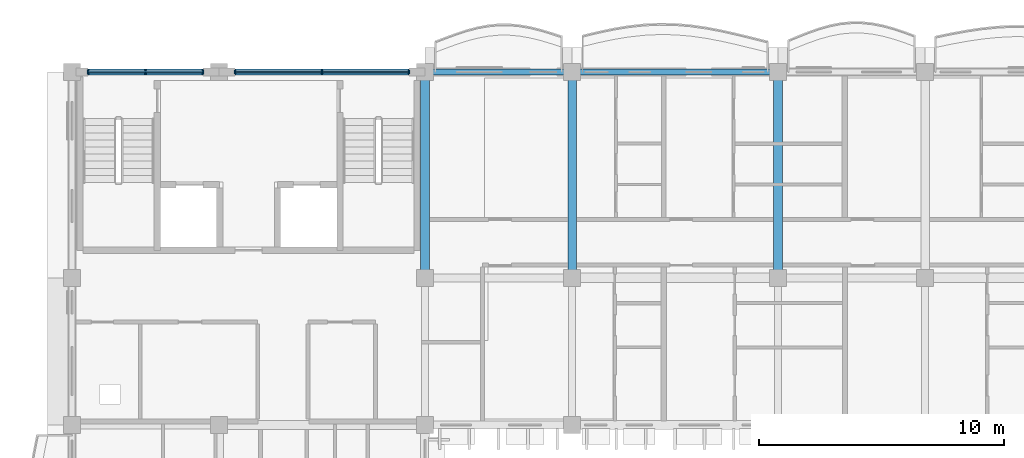
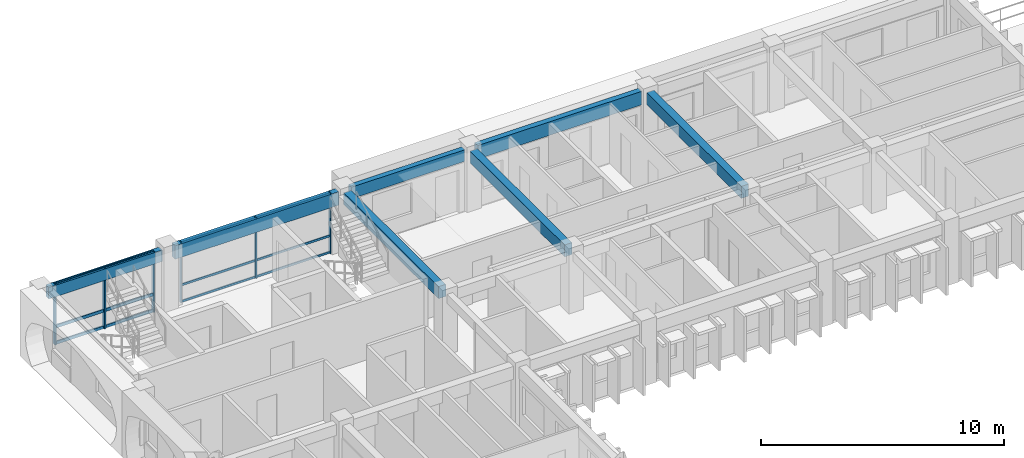
# One storey, part 5 of 66: 12 members, 7 beams, 2 elements without a shape of their own.
"""IFC4 building model written with IfcOpenShell, lengths in metres."""

from ifc_helpers import new_model, si_unit, direction, frame, origin, origin_2d, place, context, subcontext, project, spatial, rectangle, extrude, material, material_profile, profile_set, type_object, element, aggregate, save


model = new_model("IFC4")

# Units and contexts
model_context = context("Model", 3, precision=1e-05, world=origin(), true_north=direction((0.0, 1.0)))
body_context = subcontext(model_context, "Body", "Model", "MODEL_VIEW")
ifc_project = project(units=[si_unit("LENGTHUNIT", "METRE"), si_unit("AREAUNIT", "SQUARE_METRE"), si_unit("VOLUMEUNIT", "CUBIC_METRE"), si_unit("PLANEANGLEUNIT", "RADIAN"), si_unit("MASSUNIT", "GRAM", prefix="KILO"), si_unit("THERMODYNAMICTEMPERATUREUNIT", "KELVIN")], contexts=[model_context])

# Site, building, storey
site_placement = place(None, origin())
site = spatial("IfcSite", under=ifc_project, at=site_placement, CompositionType="ELEMENT")
building_placement = place(site_placement, origin())
building = spatial("IfcBuilding", under=site, at=building_placement, Name="Thalorik Housing Commons", CompositionType="ELEMENT")
storey_placement = place(building_placement, frame((0.0, 0.0, 21.300048828125)))
storey = spatial("IfcBuildingStorey", under=building, at=storey_placement, Name="L06", CompositionType="ELEMENT", Elevation=21.300048828125)

# Curtain wall, members
ifc_material_1 = material(Name="Anodised aluminium and solar-control low-E glass", Category="aluminium")
curtain_wall_type = type_object("IfcCurtainWallType", Name="ARC-CW-CORE", PredefinedType="USERDEFINED", material=ifc_material_1)
curtain_wall_1_placement = place(storey_placement, origin())
curtain_wall_1 = element("IfcCurtainWall", 1, at=curtain_wall_1_placement, inside=storey, type_object=curtain_wall_type, Name="L06 Curtain Wall CW-CORE-L06-A-027", ObjectType="CURTAIN WALL", PredefinedType="USERDEFINED")
ifc_material_2 = material(Name="Anodised aluminium 6063-T6", Category="aluminium")
ifc_material_profile_1 = material_profile(ifc_material_2, rectangle(XDim=0.054931640625, YDim=0.139892578125, at=origin_2d()), Name="ALU MUL 55x140", Category="aluminium")
ifc_profile_set_1 = profile_set([ifc_material_profile_1], Name="Anodised aluminium 6063-T6")
member_type_1 = type_object("IfcMemberType", Name="ARC-CW-MUL-55x140", PredefinedType="MULLION", material=ifc_profile_set_1)
member_1_placement = place(storey_placement, frame((22.14990234375, 123.60009765625, 0.0), z_axis=(0.0, 0.0, 1.0), x_axis=(-1.0, 0.0, 0.0)))
member_1 = element("IfcMember", 2, at=member_1_placement, type_object=member_type_1, Name="CW-CORE-L06-A-027 Mullion 1", PredefinedType="MULLION", context=body_context, shape_type="SweptSolid", body=[
    extrude(rectangle(XDim=0.054931640625, YDim=0.139892578125, at=origin_2d()), origin(), (0.0, 0.0, 1.0), 3.0400390625),
])
member_2_placement = place(storey_placement, frame((18.60009765625, 123.60009765625, 0.0), z_axis=(0.0, 0.0, 1.0), x_axis=(-1.0, 0.0, 0.0)))
member_2 = element("IfcMember", 3, at=member_2_placement, type_object=member_type_1, Name="CW-CORE-L06-A-027 Mullion 2", PredefinedType="MULLION", context=body_context, shape_type="SweptSolid", body=[
    extrude(rectangle(XDim=0.054931640625, YDim=0.139892578125, at=origin_2d()), origin(), (0.0, 0.0, 1.0), 3.0400390625),
])
member_3_placement = place(storey_placement, frame((15.050048828125, 123.60009765625, 0.0), z_axis=(0.0, 0.0, 1.0), x_axis=(-1.0, 0.0, 0.0)))
member_3 = element("IfcMember", 4, at=member_3_placement, type_object=member_type_1, Name="CW-CORE-L06-A-027 Mullion 3", PredefinedType="MULLION", context=body_context, shape_type="SweptSolid", body=[
    extrude(rectangle(XDim=0.054931640625, YDim=0.139892578125, at=origin_2d()), origin(), (0.0, 0.0, 1.0), 3.0400390625),
])

curtain_wall_2_placement = place(storey_placement, origin())
curtain_wall_2 = element("IfcCurtainWall", 5, at=curtain_wall_2_placement, inside=storey, type_object=curtain_wall_type, Name="L06 Curtain Wall CW-CORE-L06-A-028", ObjectType="CURTAIN WALL", PredefinedType="USERDEFINED")
ifc_material_profile_2 = material_profile(ifc_material_2, rectangle(XDim=0.06494140625, YDim=0.179931640625, at=origin_2d()), Name="ALU MUL 65x180", Category="aluminium")
ifc_profile_set_2 = profile_set([ifc_material_profile_2], Name="Anodised aluminium 6063-T6")
member_type_2 = type_object("IfcMemberType", Name="ARC-CW-MUL-65x180", PredefinedType="MULLION", material=ifc_profile_set_2)
member_4_placement = place(storey_placement, frame((13.75, 123.60009765625, 0.0), z_axis=(0.0, 0.0, 1.0), x_axis=(-1.0, 0.0, 0.0)))
member_4 = element("IfcMember", 6, at=member_4_placement, type_object=member_type_2, Name="CW-CORE-L06-A-028 Mullion 1", PredefinedType="MULLION", context=body_context, shape_type="SweptSolid", body=[
    extrude(rectangle(XDim=0.06494140625, YDim=0.179931640625, at=origin_2d()), origin(), (0.0, 0.0, 1.0), 3.0400390625),
])
member_5_placement = place(storey_placement, frame((11.39990234375, 123.60009765625, 0.0), z_axis=(0.0, 0.0, 1.0), x_axis=(-1.0, 0.0, 0.0)))
member_5 = element("IfcMember", 7, at=member_5_placement, type_object=member_type_2, Name="CW-CORE-L06-A-028 Mullion 2", PredefinedType="MULLION", context=body_context, shape_type="SweptSolid", body=[
    extrude(rectangle(XDim=0.06494140625, YDim=0.179931640625, at=origin_2d()), origin(), (0.0, 0.0, 1.0), 3.0400390625),
])
member_6_placement = place(storey_placement, frame((9.050048828125, 123.60009765625, 0.0), z_axis=(0.0, 0.0, 1.0), x_axis=(-1.0, 0.0, 0.0)))
member_6 = element("IfcMember", 8, at=member_6_placement, type_object=member_type_2, Name="CW-CORE-L06-A-028 Mullion 3", PredefinedType="MULLION", context=body_context, shape_type="SweptSolid", body=[
    extrude(rectangle(XDim=0.06494140625, YDim=0.179931640625, at=origin_2d()), origin(), (0.0, 0.0, 1.0), 3.0400390625),
])

# Member
ifc_material_profile_3 = material_profile(ifc_material_2, rectangle(XDim=0.054931640625, YDim=0.10498046875, at=origin_2d()), Name="ALU TRN 55x105", Category="aluminium")
ifc_profile_set_3 = profile_set([ifc_material_profile_3], Name="Anodised aluminium 6063-T6")
member_type_3 = type_object("IfcMemberType", Name="ARC-CW-TRN-55x105", PredefinedType="USERDEFINED", material=ifc_profile_set_3)
member_7_placement = place(storey_placement, frame((22.14990234375, 123.60009765625, 0.054931640625), z_axis=(-1.0, 0.0, 0.0), x_axis=(0.0, -1.0, 0.0)))
member_7 = element("IfcMember", 9, at=member_7_placement, type_object=member_type_3, Name="CW-CORE-L06-A-027 Transom 1", ObjectType="TRANSOM", PredefinedType="USERDEFINED", context=body_context, shape_type="SweptSolid", body=[
    extrude(rectangle(XDim=0.054931640625, YDim=0.10498046875, at=origin_2d()), origin(), (0.0, 0.0, 1.0), 7.099853515625),
])

member_8_placement = place(storey_placement, frame((22.14990234375, 123.60009765625, 0.8798828125), z_axis=(-1.0, 0.0, 0.0), x_axis=(0.0, -1.0, 0.0)))
member_8 = element("IfcMember", 10, at=member_8_placement, type_object=member_type_3, Name="CW-CORE-L06-A-027 Transom 2", ObjectType="TRANSOM", PredefinedType="USERDEFINED", context=body_context, shape_type="SweptSolid", body=[
    extrude(rectangle(XDim=0.054931640625, YDim=0.10498046875, at=origin_2d()), origin(), (0.0, 0.0, 1.0), 7.099853515625),
])

member_9_placement = place(storey_placement, frame((22.14990234375, 123.60009765625, 2.98486328125), z_axis=(-1.0, 0.0, 0.0), x_axis=(0.0, -1.0, 0.0)))
member_9 = element("IfcMember", 11, at=member_9_placement, type_object=member_type_3, Name="CW-CORE-L06-A-027 Transom 3", ObjectType="TRANSOM", PredefinedType="USERDEFINED", context=body_context, shape_type="SweptSolid", body=[
    extrude(rectangle(XDim=0.054931640625, YDim=0.10498046875, at=origin_2d()), origin(), (0.0, 0.0, 1.0), 7.099853515625),
])

aggregate(curtain_wall_1, [member_1, member_2, member_3, member_7, member_8, member_9])

ifc_material_profile_4 = material_profile(ifc_material_2, rectangle(XDim=0.06494140625, YDim=0.14990234375, at=origin_2d()), Name="ALU TRN 65x150", Category="aluminium")
ifc_profile_set_4 = profile_set([ifc_material_profile_4], Name="Anodised aluminium 6063-T6")
member_type_4 = type_object("IfcMemberType", Name="ARC-CW-TRN-65x150", PredefinedType="USERDEFINED", material=ifc_profile_set_4)
member_10_placement = place(storey_placement, frame((13.75, 123.60009765625, 0.054931640625), z_axis=(-1.0, 0.0, 0.0), x_axis=(0.0, -1.0, 0.0)))
member_10 = element("IfcMember", 12, at=member_10_placement, type_object=member_type_4, Name="CW-CORE-L06-A-028 Transom 1", ObjectType="TRANSOM", PredefinedType="USERDEFINED", context=body_context, shape_type="SweptSolid", body=[
    extrude(rectangle(XDim=0.06494140625, YDim=0.14990234375, at=origin_2d()), origin(), (0.0, 0.0, 1.0), 4.699951171875),
])

member_11_placement = place(storey_placement, frame((13.75, 123.60009765625, 0.8798828125), z_axis=(-1.0, 0.0, 0.0), x_axis=(0.0, -1.0, 0.0)))
member_11 = element("IfcMember", 13, at=member_11_placement, type_object=member_type_4, Name="CW-CORE-L06-A-028 Transom 2", ObjectType="TRANSOM", PredefinedType="USERDEFINED", context=body_context, shape_type="SweptSolid", body=[
    extrude(rectangle(XDim=0.06494140625, YDim=0.14990234375, at=origin_2d()), origin(), (0.0, 0.0, 1.0), 4.699951171875),
])

member_12_placement = place(storey_placement, frame((13.75, 123.60009765625, 2.98486328125), z_axis=(-1.0, 0.0, 0.0), x_axis=(0.0, -1.0, 0.0)))
member_12 = element("IfcMember", 14, at=member_12_placement, type_object=member_type_4, Name="CW-CORE-L06-A-028 Transom 3", ObjectType="TRANSOM", PredefinedType="USERDEFINED", context=body_context, shape_type="SweptSolid", body=[
    extrude(rectangle(XDim=0.06494140625, YDim=0.14990234375, at=origin_2d()), origin(), (0.0, 0.0, 1.0), 4.699951171875),
])

aggregate(curtain_wall_2, [member_4, member_5, member_6, member_10, member_11, member_12])

# Beams
ifc_material_3 = material(Name="Precast concrete C40/50", Category="concrete")
ifc_material_profile_5 = material_profile(ifc_material_3, rectangle(XDim=0.35009765625, YDim=0.60009765625, at=origin_2d()), Name="PC 350x600", Category="concrete")
ifc_profile_set_5 = profile_set([ifc_material_profile_5], Name="Precast concrete C40/50")
beam_type_1 = type_object("IfcBeamType", Name="STR-BM-PC350x600", PredefinedType="BEAM", material=ifc_profile_set_5)
for number, where, z_axis, x_axis, name in (
    (15, (22.800048828125, 115.5, 2.739990234375), (0.0, 1.0, 0.0), (-1.0, 0.0, 0.0), "L06 Beam B-600"),
    (16, (28.800048828125, 115.5, 2.739990234375), (0.0, 1.0, 0.0), (-1.0, 0.0, 0.0), "L06 Beam B-600"),
    (17, (37.199951171875, 115.5, 2.739990234375), (0.0, 1.0, 0.0), (-1.0, 0.0, 0.0), "L06 Beam B-600"),
):
    element("IfcBeam", number, at=place(storey_placement, frame(where, z_axis=z_axis, x_axis=x_axis)), inside=storey, type_object=beam_type_1, Name=name, PredefinedType="BEAM", context=body_context, shape_type="SweptSolid", body=[
        extrude(rectangle(XDim=0.35009765625, YDim=0.60009765625, at=origin_2d()), origin(), (0.0, 0.0, 1.0), 7.800048828125),
    ])
ifc_material_profile_6 = material_profile(ifc_material_3, rectangle(XDim=0.239990234375, YDim=0.580078125, at=origin_2d()), Name="PC SP 240x580", Category="concrete")
ifc_profile_set_6 = profile_set([ifc_material_profile_6], Name="Precast concrete C40/50")
beam_type_2 = type_object("IfcBeamType", Name="STR-SP-PC240x580", PredefinedType="SPANDREL", material=ifc_profile_set_6)
beam_1_placement = place(storey_placement, frame((8.699951171875, 123.60009765625, 2.75), z_axis=(1.0, 0.0, 0.0), x_axis=(0.0, 1.0, 0.0)))
element("IfcBeam", 18, at=beam_1_placement, inside=storey, type_object=beam_type_2, Name="L06 Beam B-550", PredefinedType="SPANDREL", context=body_context, shape_type="SweptSolid", body=[
    extrude(rectangle(XDim=0.239990234375, YDim=0.580078125, at=origin_2d()), origin(), (0.0, 0.0, 1.0), 5.400146484375),
])
beam_2_placement = place(storey_placement, frame((23.10009765625, 123.60009765625, 2.75), z_axis=(1.0, 0.0, 0.0), x_axis=(0.0, 1.0, 0.0)))
element("IfcBeam", 19, at=beam_2_placement, inside=storey, type_object=beam_type_2, Name="L06 Beam B-550", PredefinedType="SPANDREL", context=body_context, shape_type="SweptSolid", body=[
    extrude(rectangle(XDim=0.239990234375, YDim=0.580078125, at=origin_2d()), origin(), (0.0, 0.0, 1.0), 5.39990234375),
])
ifc_material_profile_7 = material_profile(ifc_material_3, rectangle(XDim=0.260009765625, YDim=0.679931640625, at=origin_2d()), Name="PC SP 260x680", Category="concrete")
ifc_profile_set_7 = profile_set([ifc_material_profile_7], Name="Precast concrete C40/50")
beam_type_3 = type_object("IfcBeamType", Name="STR-SP-PC260x680", PredefinedType="SPANDREL", material=ifc_profile_set_7)
beam_3_placement = place(storey_placement, frame((14.699951171875, 123.60009765625, 2.699951171875), z_axis=(1.0, 0.0, 0.0), x_axis=(0.0, 1.0, 0.0)))
element("IfcBeam", 20, at=beam_3_placement, inside=storey, type_object=beam_type_3, Name="L06 Beam B-650", PredefinedType="SPANDREL", context=body_context, shape_type="SweptSolid", body=[
    extrude(rectangle(XDim=0.260009765625, YDim=0.679931640625, at=origin_2d()), origin(), (0.0, 0.0, 1.0), 7.800048828125),
])
beam_4_placement = place(storey_placement, frame((29.10009765625, 123.60009765625, 2.699951171875), z_axis=(1.0, 0.0, 0.0), x_axis=(0.0, 1.0, 0.0)))
element("IfcBeam", 21, at=beam_4_placement, inside=storey, type_object=beam_type_3, Name="L06 Beam B-650", PredefinedType="SPANDREL", context=body_context, shape_type="SweptSolid", body=[
    extrude(rectangle(XDim=0.260009765625, YDim=0.679931640625, at=origin_2d()), origin(), (0.0, 0.0, 1.0), 7.7998046875),
])

save(model, "model.ifc")
